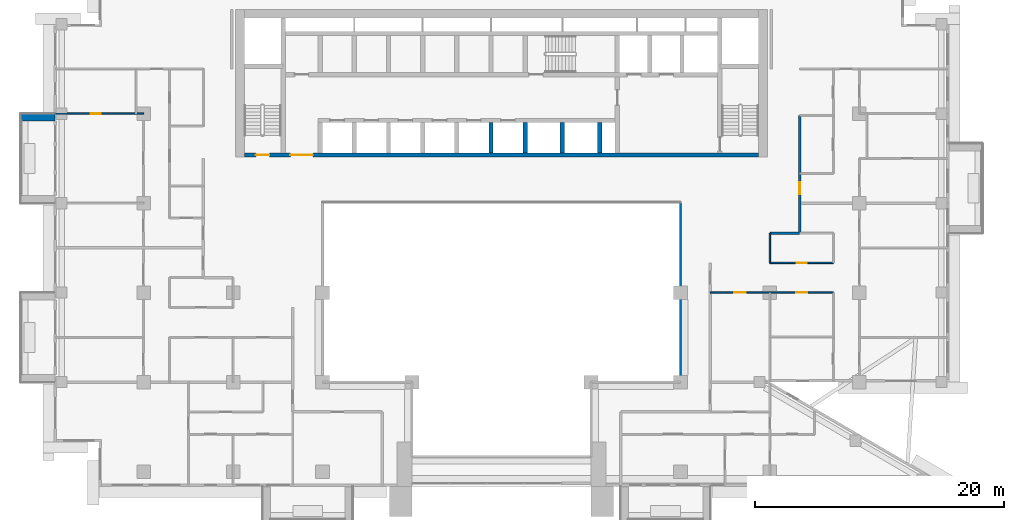
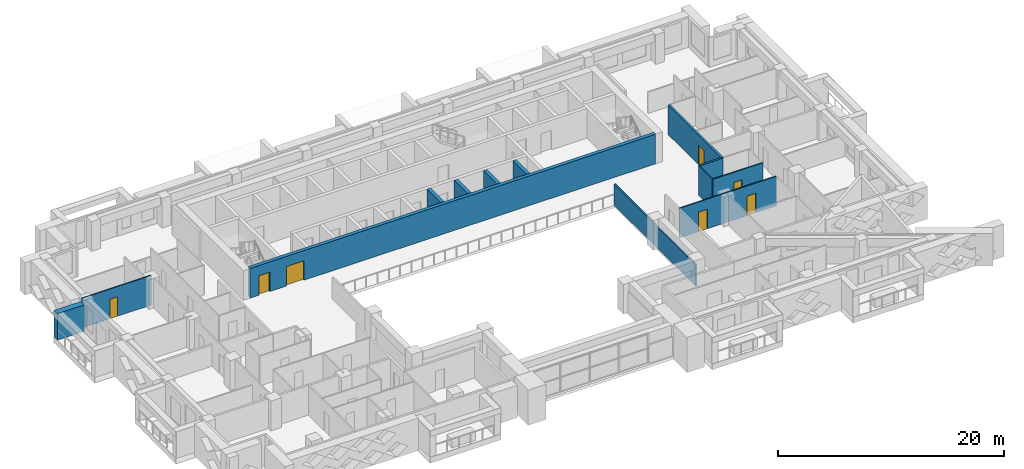
# One storey, part 9 of 20: 13 walls, 7 doors, 7 openings.
"""IFC4 building model written with IfcOpenShell, lengths in metres."""

from ifc_helpers import new_model, si_unit, direction, frame, frame_2d, origin, place, context, subcontext, project, spatial, rectangle, extrude, material, layer, layer_set, type_object, element, fill, save


model = new_model("IFC4")

# Units and contexts
model_context = context("Model", 3, precision=1e-05, world=origin(), true_north=direction((0.0, 1.0)))
body_context = subcontext(model_context, "Body", "Model", "MODEL_VIEW")
ifc_project = project(units=[si_unit("LENGTHUNIT", "METRE"), si_unit("AREAUNIT", "SQUARE_METRE"), si_unit("VOLUMEUNIT", "CUBIC_METRE"), si_unit("PLANEANGLEUNIT", "RADIAN"), si_unit("MASSUNIT", "GRAM", prefix="KILO")], contexts=[model_context])

# Site, building, storey
site_placement = place(None, origin())
site = spatial("IfcSite", under=ifc_project, at=site_placement, CompositionType="ELEMENT")
building_placement = place(site_placement, origin())
building = spatial("IfcBuilding", under=site, at=building_placement, Name="Saffron Iwan Residences", CompositionType="ELEMENT")
storey_placement = place(building_placement, frame((0.0, 0.0, 130.5)))
storey = spatial("IfcBuildingStorey", under=building, at=storey_placement, Name="L34", CompositionType="ELEMENT", Elevation=130.5)

# Walls
ifc_material_1 = material(Name="Fire-rated glazing", Category="glass")
ifc_layer_1 = layer(ifc_material_1, 0.14990234375)
ifc_layer_set_1 = layer_set([ifc_layer_1], Name="Fire-rated glazing")
wall_type_1 = type_object("IfcWallType", Name="Atrium glazed screen 150", PredefinedType="SOLIDWALL", material=ifc_layer_set_1)
wall_1_placement = place(storey_placement, frame((64.800048828125, 48.0, 0.0), z_axis=(0.0, 0.0, 1.0), x_axis=(0.0, 1.0, 0.0)))
element("IfcWall", 1, at=wall_1_placement, inside=storey, type_object=wall_type_1, Name="W-L34-SCREEN-v64.8-48", PredefinedType="SOLIDWALL", context=body_context, shape_type="SweptSolid", body=[
    extrude(rectangle(XDim=14.39990234375, YDim=0.14990234375, at=frame_2d((7.199951171875, 0.0))), origin(), (0.0, 0.0, 1.0), 2.300048828125),
])
ifc_material_2 = material(Name="Concrete C50/60 white painted", Category="concrete")
ifc_layer_2 = layer(ifc_material_2, 0.60009765625)
ifc_layer_set_2 = layer_set([ifc_layer_2], Name="Concrete C50/60 white painted")
wall_type_2 = type_object("IfcWallType", Name="BALCONY FIN 600", PredefinedType="SOLIDWALL", material=ifc_layer_set_2)
wall_2_placement = place(storey_placement, frame((14.449951171875, 69.300048828125, 0.0), z_axis=(0.0, 0.0, 1.0), x_axis=(-1.0, 0.0, 0.0)))
element("IfcWall", 2, at=wall_2_placement, inside=storey, type_object=wall_type_2, Name="Balcony fin L34 F8-0a", PredefinedType="SOLIDWALL", context=body_context, shape_type="SweptSolid", body=[
    extrude(rectangle(XDim=2.75, YDim=0.60009765625, at=frame_2d((1.375, 0.0))), origin(), (0.0, 0.0, 1.0), 2.85009765625),
])

# Wall, openings, doors
ifc_material_3 = material(Name="Gypsum board partition")
ifc_layer_3 = layer(ifc_material_3, 0.1201171875)
ifc_layer_set_3 = layer_set([ifc_layer_3], Name="Gypsum board partition")
wall_type_3 = type_object("IfcWallType", Name="Flat partition 120", PredefinedType="PARTITIONING", material=ifc_layer_set_3)
wall_3_placement = place(storey_placement, frame((67.199951171875, 55.199951171875, 0.0), z_axis=(0.0, 0.0, 1.0), x_axis=(1.0, 0.0, 0.0)))
wall_3 = element("IfcWall", 3, at=wall_3_placement, inside=storey, type_object=wall_type_3, Name="W-L34-PART-h55.2-67.2", PredefinedType="PARTITIONING", context=body_context, shape_type="SweptSolid", body=[
    extrude(rectangle(XDim=9.900146484375, YDim=0.1201171875, at=frame_2d((4.9501953125, 0.0))), origin(), (0.0, 0.0, 1.0), 3.199951171875),
])
opening_1_placement = place(wall_3_placement, frame((6.89990234375, 0.0, 0.0)))
opening_1 = element("IfcOpeningElement", 4, at=opening_1_placement, cuts=wall_3, Name="Opening FD2", PredefinedType="OPENING", context=body_context, shape_type="SweptSolid", body=[
    extrude(rectangle(XDim=0.89990234375, YDim=2.10009765625, at=frame_2d((0.449951171875, 1.050048828125))), frame((0.0, 0.070068359375, 0.0), z_axis=(0.0, -1.0, 0.0), x_axis=(1.0, 0.0, 0.0)), (0.0, 0.0, 1.0), 0.14013671875),
])
opening_2_placement = place(wall_3_placement, frame((1.949951171875, 0.0, 0.0)))
opening_2 = element("IfcOpeningElement", 5, at=opening_2_placement, cuts=wall_3, Name="Opening FD2", PredefinedType="OPENING", context=body_context, shape_type="SweptSolid", body=[
    extrude(rectangle(XDim=0.89990234375, YDim=2.10009765625, at=frame_2d((0.449951171875, 1.050048828125))), frame((0.0, 0.070068359375, 0.0), z_axis=(0.0, -1.0, 0.0), x_axis=(1.0, 0.0, 0.0)), (0.0, 0.0, 1.0), 0.14013671875),
])
ifc_material_4 = material(Name="Timber door", Category="wood")
door_type_1 = type_object("IfcDoorType", Name="Flat door 900", OperationType="NOTDEFINED", PredefinedType="DOOR", material=ifc_material_4)
door_1_placement = place(opening_1_placement, origin())
door_1 = element("IfcDoor", 6, at=door_1_placement, inside=storey, type_object=door_type_1, Name="Door L34-018", OperationType="SINGLE_SWING_RIGHT", OverallHeight=2.10009765625, OverallWidth=0.89990234375, PredefinedType="DOOR", context=body_context, shape_type="SweptSolid", body=[
    extrude(rectangle(XDim=0.89990234375, YDim=2.10009765625, at=frame_2d((0.449951171875, 1.050048828125))), frame((0.0, 0.02490234375, 0.0), z_axis=(0.0, -1.0, 0.0), x_axis=(1.0, 0.0, 0.0)), (0.0, 0.0, 1.0), 0.050048828125),
])
fill(opening_1, door_1)
door_2_placement = place(opening_2_placement, origin())
door_2 = element("IfcDoor", 7, at=door_2_placement, inside=storey, type_object=door_type_1, Name="Door L34-020", OperationType="SINGLE_SWING_LEFT", OverallHeight=2.10009765625, OverallWidth=0.89990234375, PredefinedType="DOOR", context=body_context, shape_type="SweptSolid", body=[
    extrude(rectangle(XDim=0.89990234375, YDim=2.10009765625, at=frame_2d((0.449951171875, 1.050048828125))), frame((0.0, 0.02490234375, 0.0), z_axis=(0.0, -1.0, 0.0), x_axis=(1.0, 0.0, 0.0)), (0.0, 0.0, 1.0), 0.050048828125),
])
fill(opening_2, door_2)

# Wall, opening, door
wall_4_placement = place(storey_placement, frame((72.0, 57.60009765625, 0.0), z_axis=(0.0, 0.0, 1.0), x_axis=(1.0, 0.0, 0.0)))
wall_4 = element("IfcWall", 8, at=wall_4_placement, inside=storey, type_object=wall_type_3, Name="W-L34-PART-h57.6-72", PredefinedType="PARTITIONING", context=body_context, shape_type="SweptSolid", body=[
    extrude(rectangle(XDim=5.10009765625, YDim=0.1201171875, at=frame_2d((2.550048828125, 0.0))), origin(), (0.0, 0.0, 1.0), 3.199951171875),
])
opening_3_placement = place(wall_4_placement, frame((2.14990234375, 0.0, 0.0)))
opening_3 = element("IfcOpeningElement", 9, at=opening_3_placement, cuts=wall_4, Name="Opening FD3", PredefinedType="OPENING", context=body_context, shape_type="SweptSolid", body=[
    extrude(rectangle(XDim=0.800048828125, YDim=2.10009765625, at=frame_2d((0.39990234375, 1.050048828125))), frame((0.0, 0.070068359375, 0.0), z_axis=(0.0, -1.0, 0.0), x_axis=(1.0, 0.0, 0.0)), (0.0, 0.0, 1.0), 0.14013671875),
])
door_type_2 = type_object("IfcDoorType", Name="Bathroom door 800", OperationType="NOTDEFINED", PredefinedType="DOOR", material=ifc_material_4)
door_3_placement = place(opening_3_placement, origin())
door_3 = element("IfcDoor", 10, at=door_3_placement, inside=storey, type_object=door_type_2, Name="Door L34-019", OperationType="SINGLE_SWING_LEFT", OverallHeight=2.10009765625, OverallWidth=0.800048828125, PredefinedType="DOOR", context=body_context, shape_type="SweptSolid", body=[
    extrude(rectangle(XDim=0.800048828125, YDim=2.10009765625, at=frame_2d((0.39990234375, 1.050048828125))), frame((0.0, 0.02490234375, 0.0), z_axis=(0.0, -1.0, 0.0), x_axis=(1.0, 0.0, 0.0)), (0.0, 0.0, 1.0), 0.050048828125),
])
fill(opening_3, door_3)

wall_5_placement = place(storey_placement, frame((14.52490234375, 69.60009765625, 0.0), z_axis=(0.0, 0.0, 1.0), x_axis=(1.0, 0.0, 0.0)))
wall_5 = element("IfcWall", 11, at=wall_5_placement, inside=storey, type_object=wall_type_3, Name="W-L34-PART-h69.6-14.525", PredefinedType="PARTITIONING", context=body_context, shape_type="SweptSolid", body=[
    extrude(rectangle(XDim=7.0751953125, YDim=0.1201171875, at=frame_2d((3.53759765625, 0.0))), origin(), (0.0, 0.0, 1.0), 3.199951171875),
])
opening_4_placement = place(wall_5_placement, frame((2.83740234375, 0.0, 0.0)))
opening_4 = element("IfcOpeningElement", 12, at=opening_4_placement, cuts=wall_5, Name="Opening FD3", PredefinedType="OPENING", context=body_context, shape_type="SweptSolid", body=[
    extrude(rectangle(XDim=0.800048828125, YDim=2.10009765625, at=frame_2d((0.39990234375, 1.050048828125))), frame((0.0, 0.070068359375, 0.0), z_axis=(0.0, -1.0, 0.0), x_axis=(1.0, 0.0, 0.0)), (0.0, 0.0, 1.0), 0.14013671875),
])
door_4_placement = place(opening_4_placement, origin())
door_4 = element("IfcDoor", 13, at=door_4_placement, inside=storey, type_object=door_type_2, Name="Door L34-024", OperationType="SINGLE_SWING_RIGHT", OverallHeight=2.10009765625, OverallWidth=0.800048828125, PredefinedType="DOOR", context=body_context, shape_type="SweptSolid", body=[
    extrude(rectangle(XDim=0.800048828125, YDim=2.10009765625, at=frame_2d((0.39990234375, 1.050048828125))), frame((0.0, 0.02490234375, 0.0), z_axis=(0.0, -1.0, 0.0), x_axis=(1.0, 0.0, 0.0)), (0.0, 0.0, 1.0), 0.050048828125),
])
fill(opening_4, door_4)

# Walls
wall_6_placement = place(storey_placement, frame((72.0, 57.60009765625, 0.0), z_axis=(0.0, 0.0, 1.0), x_axis=(0.0, 1.0, 0.0)))
element("IfcWall", 14, at=wall_6_placement, inside=storey, type_object=wall_type_3, Name="W-L34-PART-v72-57.6", PredefinedType="PARTITIONING", context=body_context, shape_type="SweptSolid", body=[
    extrude(rectangle(XDim=2.39990234375, YDim=0.1201171875, at=frame_2d((1.199951171875, 0.0))), origin(), (0.0, 0.0, 1.0), 3.199951171875),
])
ifc_material_5 = material(Name="Fire-rated gypsum board wall")
ifc_layer_4 = layer(ifc_material_5, 0.199951171875)
ifc_layer_set_4 = layer_set([ifc_layer_4], Name="Fire-rated gypsum board wall")
wall_type_4 = type_object("IfcWallType", Name="Gallery wall 200", PredefinedType="SOLIDWALL", material=ifc_layer_set_4)
wall_7_placement = place(storey_placement, frame((72.0, 60.0, 0.0), z_axis=(0.0, 0.0, 1.0), x_axis=(1.0, 0.0, 0.0)))
element("IfcWall", 15, at=wall_7_placement, inside=storey, type_object=wall_type_4, Name="W-L34-CORR-h60-72", PredefinedType="SOLIDWALL", context=body_context, shape_type="SweptSolid", body=[
    extrude(rectangle(XDim=2.39990234375, YDim=0.199951171875, at=frame_2d((1.199951171875, 0.0))), origin(), (0.0, 0.0, 1.0), 3.199951171875),
])

# Wall, opening, door
wall_8_placement = place(storey_placement, frame((74.39990234375, 60.0, 0.0), z_axis=(0.0, 0.0, 1.0), x_axis=(0.0, 1.0, 0.0)))
wall_8 = element("IfcWall", 16, at=wall_8_placement, inside=storey, type_object=wall_type_4, Name="W-L34-CORR-v74.4-60", PredefinedType="SOLIDWALL", context=body_context, shape_type="SweptSolid", body=[
    extrude(rectangle(XDim=9.449951171875, YDim=0.199951171875, at=frame_2d((4.72509765625, 0.0))), origin(), (0.0, 0.0, 1.0), 3.199951171875),
])
opening_5_placement = place(wall_8_placement, frame((3.10009765625, 0.0, 0.0)))
opening_5 = element("IfcOpeningElement", 17, at=opening_5_placement, cuts=wall_8, Name="Opening FD1", PredefinedType="OPENING", context=body_context, shape_type="SweptSolid", body=[
    extrude(rectangle(XDim=1.0, YDim=2.10009765625, at=frame_2d((0.5, 1.050048828125))), frame((0.0, 0.10986328125, 0.0), z_axis=(0.0, -1.0, 0.0), x_axis=(1.0, 0.0, 0.0)), (0.0, 0.0, 1.0), 0.219970703125),
])
ifc_material_6 = material(Name="Fire-rated timber door", Category="wood")
door_type_3 = type_object("IfcDoorType", Name="FD30S flat entrance door 1000", OperationType="NOTDEFINED", PredefinedType="DOOR", material=ifc_material_6)
door_5_placement = place(opening_5_placement, origin())
door_5 = element("IfcDoor", 18, at=door_5_placement, inside=storey, type_object=door_type_3, Name="Door L34-029", OperationType="SINGLE_SWING_LEFT", OverallHeight=2.10009765625, OverallWidth=1.0, PredefinedType="DOOR", context=body_context, shape_type="SweptSolid", body=[
    extrude(rectangle(XDim=1.0, YDim=2.10009765625, at=frame_2d((0.5, 1.050048828125))), frame((0.0, 0.02490234375, 0.0), z_axis=(0.0, -1.0, 0.0), x_axis=(1.0, 0.0, 0.0)), (0.0, 0.0, 1.0), 0.050048828125),
])
fill(opening_5, door_5)

# Wall, openings, doors
ifc_material_7 = material(Name="Concrete C50/60", Category="concrete")
ifc_layer_5 = layer(ifc_material_7, 0.35009765625)
ifc_layer_set_5 = layer_set([ifc_layer_5], Name="Concrete C50/60")
wall_type_5 = type_object("IfcWallType", Name="WALL CORE 350 C50/60 3200 HIGH", PredefinedType="SHEAR", material=ifc_layer_set_5)
wall_9_placement = place(storey_placement, frame((29.699951171875, 66.27490234375, 0.0), z_axis=(0.0, 0.0, 1.0), x_axis=(1.0, 0.0, 0.0)))
wall_9 = element("IfcWall", 19, at=wall_9_placement, inside=storey, type_object=wall_type_5, Name="Core wall", PredefinedType="SHEAR", context=body_context, shape_type="SweptSolid", body=[
    extrude(rectangle(XDim=41.400146484375, YDim=0.35009765625, at=frame_2d((20.7001953125, 0.0))), origin(), (0.0, 0.0, 1.0), 3.199951171875),
])
opening_6_placement = place(wall_9_placement, frame((0.925048828125, 0.0, 0.0)))
opening_6 = element("IfcOpeningElement", 20, at=opening_6_placement, cuts=wall_9, Name="Opening SD", PredefinedType="OPENING", context=body_context, shape_type="SweptSolid", body=[
    extrude(rectangle(XDim=1.10009765625, YDim=2.10009765625, at=frame_2d((0.550048828125, 1.050048828125))), frame((0.0, 0.18505859375, 0.0), z_axis=(0.0, -1.0, 0.0), x_axis=(1.0, 0.0, 0.0)), (0.0, 0.0, 1.0), 0.3701171875),
])
opening_7_placement = place(wall_9_placement, frame((3.71240234375, 0.0, 0.0)))
opening_7 = element("IfcOpeningElement", 21, at=opening_7_placement, cuts=wall_9, Name="Opening DD", PredefinedType="OPENING", context=body_context, shape_type="SweptSolid", body=[
    extrude(rectangle(XDim=1.800048828125, YDim=2.10009765625, at=frame_2d((0.89990234375, 1.050048828125))), frame((0.0, 0.18505859375, 0.0), z_axis=(0.0, -1.0, 0.0), x_axis=(1.0, 0.0, 0.0)), (0.0, 0.0, 1.0), 0.3701171875),
])
ifc_material_8 = material(Name="Steel fire door", Category="steel")
door_type_4 = type_object("IfcDoorType", Name="Lobby double door 1800", OperationType="DOUBLE_DOOR_SINGLE_SWING", PredefinedType="DOOR", material=ifc_material_8)
door_6_placement = place(opening_7_placement, origin())
door_6 = element("IfcDoor", 22, at=door_6_placement, inside=storey, type_object=door_type_4, Name="Lobby doors", OperationType="DOUBLE_DOOR_SINGLE_SWING", OverallHeight=2.10009765625, OverallWidth=1.800048828125, PredefinedType="DOOR", context=body_context, shape_type="SweptSolid", body=[
    extrude(rectangle(XDim=1.800048828125, YDim=2.10009765625, at=frame_2d((0.89990234375, 1.050048828125))), frame((0.0, 0.02490234375, 0.0), z_axis=(0.0, -1.0, 0.0), x_axis=(1.0, 0.0, 0.0)), (0.0, 0.0, 1.0), 0.050048828125),
])
fill(opening_7, door_6)
door_type_5 = type_object("IfcDoorType", Name="Stair door 1100", OperationType="NOTDEFINED", PredefinedType="DOOR", material=ifc_material_8)
door_7_placement = place(opening_6_placement, origin())
door_7 = element("IfcDoor", 23, at=door_7_placement, inside=storey, type_object=door_type_5, Name="Stair door ST-W", OperationType="SINGLE_SWING_LEFT", OverallHeight=2.10009765625, OverallWidth=1.10009765625, PredefinedType="DOOR", context=body_context, shape_type="SweptSolid", body=[
    extrude(rectangle(XDim=1.10009765625, YDim=2.10009765625, at=frame_2d((0.550048828125, 1.050048828125))), frame((0.0, 0.02490234375, 0.0), z_axis=(0.0, -1.0, 0.0), x_axis=(1.0, 0.0, 0.0)), (0.0, 0.0, 1.0), 0.050048828125),
])
fill(opening_6, door_7)

# Walls
for number, where, z_axis, x_axis, name in (
    (24, (49.550048828125, 66.449951171875, 0.0), (0.0, 0.0, 1.0), (0.0, 1.0, 0.0), "Core wall"),
    (25, (52.300048828125, 66.449951171875, 0.0), (0.0, 0.0, 1.0), (0.0, 1.0, 0.0), "Core wall"),
    (26, (55.300048828125, 66.449951171875, 0.0), (0.0, 0.0, 1.0), (0.0, 1.0, 0.0), "Core wall"),
    (27, (58.300048828125, 66.449951171875, 0.0), (0.0, 0.0, 1.0), (0.0, 1.0, 0.0), "Core wall"),
):
    element("IfcWall", number, at=place(storey_placement, frame(where, z_axis=z_axis, x_axis=x_axis)), inside=storey, type_object=wall_type_5, Name=name, PredefinedType="SHEAR", context=body_context, shape_type="SweptSolid", body=[
        extrude(rectangle(XDim=2.425048828125, YDim=0.35009765625, at=frame_2d((1.21240234375, 0.0))), origin(), (0.0, 0.0, 1.0), 3.199951171875),
    ])

save(model, "model.ifc")
